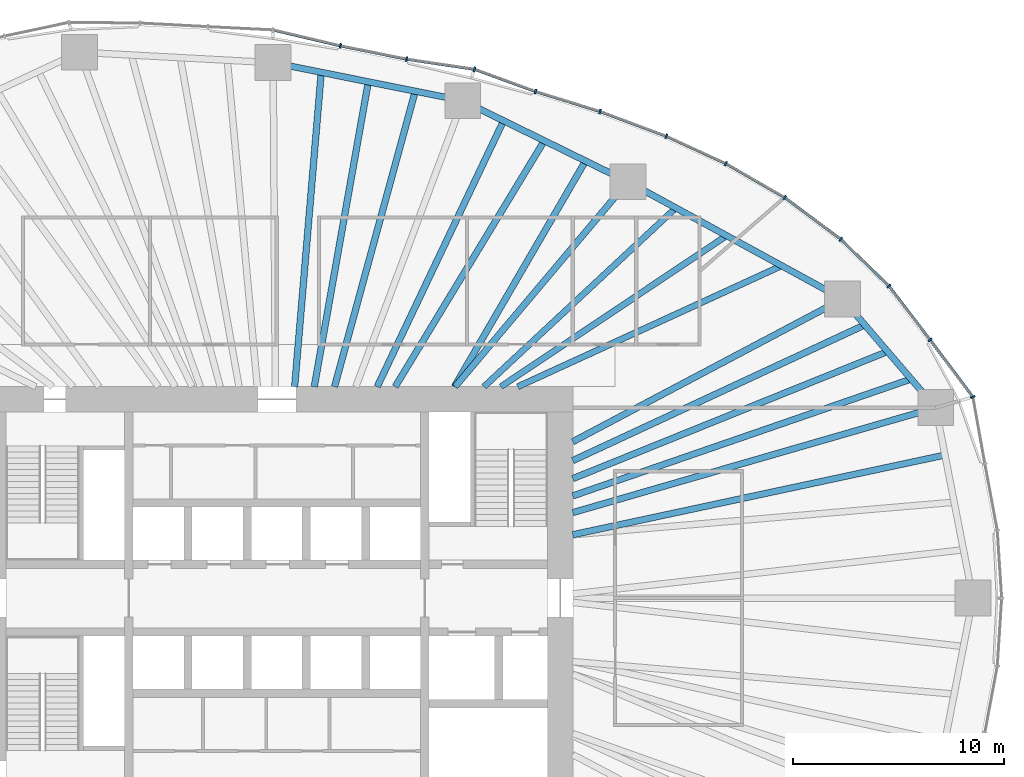
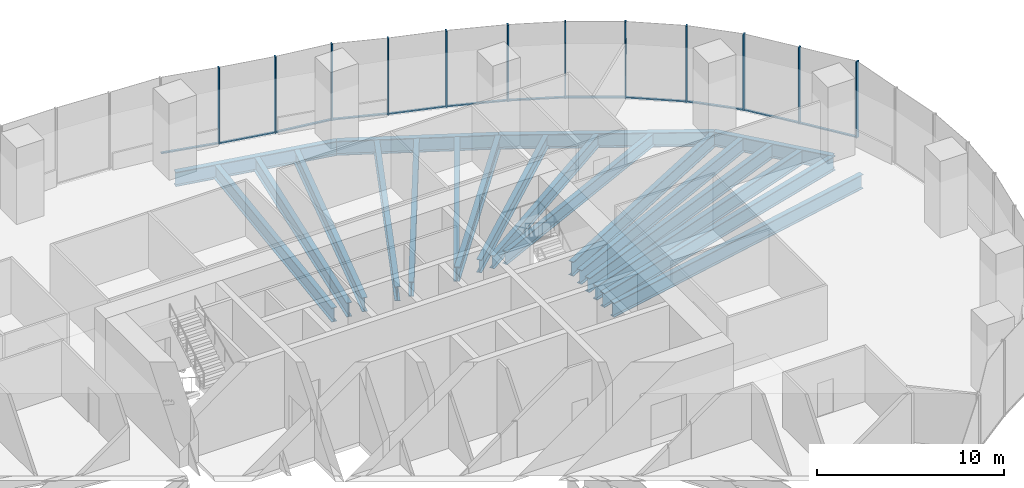
# One storey, part 6 of 19: 24 members, 20 beams, 4 elements without a shape of their own.
"""IFC4 building model written with IfcOpenShell, lengths in metres."""

from ifc_helpers import new_model, si_unit, direction, frame, origin, origin_2d, place, context, subcontext, project, spatial, rectangle, i_section, extrude, material, material_profile, profile_set, type_object, element, aggregate, save


model = new_model("IFC4")

# Units and contexts
model_context = context("Model", 3, precision=1e-05, world=origin(), true_north=direction((0.0, 1.0)))
body_context = subcontext(model_context, "Body", "Model", "MODEL_VIEW")
ifc_project = project(units=[si_unit("LENGTHUNIT", "METRE"), si_unit("AREAUNIT", "SQUARE_METRE"), si_unit("VOLUMEUNIT", "CUBIC_METRE"), si_unit("PLANEANGLEUNIT", "RADIAN"), si_unit("MASSUNIT", "GRAM", prefix="KILO")], contexts=[model_context])

# Site, building, storey
site_placement = place(None, origin())
site = spatial("IfcSite", under=ifc_project, at=site_placement, CompositionType="ELEMENT")
building_placement = place(site_placement, origin())
building = spatial("IfcBuilding", under=site, at=building_placement, Name="Ghaith Harvest Tower", CompositionType="ELEMENT")
storey_placement = place(building_placement, frame((0.0, 0.0, 70.0)))
storey = spatial("IfcBuildingStorey", under=building, at=storey_placement, Name="L14", CompositionType="ELEMENT", Elevation=70.0)

# Curtain wall, members
ifc_material_1 = material(Name="Black anodised aluminium and fritted glass", Category="aluminium")
curtain_wall_type = type_object("IfcCurtainWallType", Name="CW-F CURTAIN WALL", PredefinedType="NOTDEFINED", material=ifc_material_1)
curtain_wall_1_placement = place(storey_placement, origin())
curtain_wall_1 = element("IfcCurtainWall", 1, at=curtain_wall_1_placement, inside=storey, type_object=curtain_wall_type, Name="Curtain wall CW-F bay 02 L14", PredefinedType="NOTDEFINED")
ifc_material_2 = material(Name="Aluminium, black anodised", Category="aluminium")
ifc_material_profile_1 = material_profile(ifc_material_2, rectangle(XDim=0.080078125, YDim=0.219970703125, at=origin_2d()), Name="CW-F MULLION 80x220")
ifc_profile_set_1 = profile_set([ifc_material_profile_1], Name="Aluminium, black anodised")
member_type_1 = type_object("IfcMemberType", Name="CW-F MULLION 80x220", PredefinedType="MULLION", material=ifc_profile_set_1)
member_1_placement = place(storey_placement, frame((32.923583984375, 9.515625, 0.0), z_axis=(0.0, 0.0, 1.0), x_axis=(-0.404701693729, 0.914448762421, 0.0)))
member_1 = element("IfcMember", 2, at=member_1_placement, type_object=member_type_1, Name="CW-F mullion 1 bay 02 L14", PredefinedType="MULLION", context=body_context, shape_type="SweptSolid", body=[
    extrude(rectangle(XDim=0.080078125, YDim=0.219970703125, at=origin_2d()), origin(), (0.0, 0.0, 1.0), 5.0),
])
member_2_placement = place(storey_placement, frame((30.896728515625, 12.215087890625, 0.0), z_axis=(0.0, 0.0, 1.0), x_axis=(-0.603948315345, 0.797023482961, 0.0)))
member_2 = element("IfcMember", 3, at=member_2_placement, type_object=member_type_1, Name="CW-F mullion 2 bay 02 L14", PredefinedType="MULLION", context=body_context, shape_type="SweptSolid", body=[
    extrude(rectangle(XDim=0.080078125, YDim=0.219970703125, at=origin_2d()), origin(), (0.0, 0.0, 1.0), 5.0),
])
member_3_placement = place(storey_placement, frame((28.947021484375, 14.763427734375, 0.0), z_axis=(0.0, 0.0, 1.0), x_axis=(-0.663604797296, 0.748083332929, 0.0)))
member_3 = element("IfcMember", 4, at=member_3_placement, type_object=member_type_1, Name="CW-F mullion 3 bay 02 L14", PredefinedType="MULLION", context=body_context, shape_type="SweptSolid", body=[
    extrude(rectangle(XDim=0.080078125, YDim=0.219970703125, at=origin_2d()), origin(), (0.0, 0.0, 1.0), 5.0),
])

curtain_wall_2_placement = place(storey_placement, origin())
curtain_wall_2 = element("IfcCurtainWall", 5, at=curtain_wall_2_placement, inside=storey, type_object=curtain_wall_type, Name="Curtain wall CW-F bay 03 L14", PredefinedType="NOTDEFINED")
member_4_placement = place(storey_placement, frame((26.673828125, 16.9755859375, 0.0), z_axis=(0.0, 0.0, 1.0), x_axis=(-0.762365981091, 0.647146127915, 0.0)))
member_4 = element("IfcMember", 6, at=member_4_placement, type_object=member_type_1, Name="CW-F mullion 1 bay 03 L14", PredefinedType="MULLION", context=body_context, shape_type="SweptSolid", body=[
    extrude(rectangle(XDim=0.080078125, YDim=0.219970703125, at=origin_2d()), origin(), (0.0, 0.0, 1.0), 5.0),
])
member_5_placement = place(storey_placement, frame((24.018310546875, 18.947265625, 0.0), z_axis=(0.0, 0.0, 1.0), x_axis=(-0.835443516723, 0.549576318963, 0.0)))
member_5 = element("IfcMember", 7, at=member_5_placement, type_object=member_type_1, Name="CW-F mullion 2 bay 03 L14", PredefinedType="MULLION", context=body_context, shape_type="SweptSolid", body=[
    extrude(rectangle(XDim=0.080078125, YDim=0.219970703125, at=origin_2d()), origin(), (0.0, 0.0, 1.0), 5.0),
])
member_6_placement = place(storey_placement, frame((21.2353515625, 20.552978515625, 0.0), z_axis=(0.0, 0.0, 1.0), x_axis=(-0.887896671642, 0.460042933308, 0.0)))
member_6 = element("IfcMember", 8, at=member_6_placement, type_object=member_type_1, Name="CW-F mullion 3 bay 03 L14", PredefinedType="MULLION", context=body_context, shape_type="SweptSolid", body=[
    extrude(rectangle(XDim=0.080078125, YDim=0.219970703125, at=origin_2d()), origin(), (0.0, 0.0, 1.0), 5.0),
])

curtain_wall_3_placement = place(storey_placement, origin())
curtain_wall_3 = element("IfcCurtainWall", 9, at=curtain_wall_3_placement, inside=storey, type_object=curtain_wall_type, Name="Curtain wall CW-F bay 04 L14", PredefinedType="NOTDEFINED")
member_7_placement = place(storey_placement, frame((18.422607421875, 21.8466796875, 0.0), z_axis=(0.0, 0.0, 1.0), x_axis=(-0.923910199252, 0.382609387912, 0.0)))
member_7 = element("IfcMember", 10, at=member_7_placement, type_object=member_type_1, Name="CW-F mullion 1 bay 04 L14", PredefinedType="MULLION", context=body_context, shape_type="SweptSolid", body=[
    extrude(rectangle(XDim=0.080078125, YDim=0.219970703125, at=origin_2d()), origin(), (0.0, 0.0, 1.0), 5.0),
])
member_8_placement = place(storey_placement, frame((15.28759765625, 23.01611328125, 0.0), z_axis=(0.0, 0.0, 1.0), x_axis=(-0.946121020954, 0.323813238933, 0.0)))
member_8 = element("IfcMember", 11, at=member_8_placement, type_object=member_type_1, Name="CW-F mullion 2 bay 04 L14", PredefinedType="MULLION", context=body_context, shape_type="SweptSolid", body=[
    extrude(rectangle(XDim=0.080078125, YDim=0.219970703125, at=origin_2d()), origin(), (0.0, 0.0, 1.0), 5.0),
])
member_9_placement = place(storey_placement, frame((12.234375, 23.964599609375, 0.0), z_axis=(0.0, 0.0, 1.0), x_axis=(-0.947653438436, 0.319300736957, 0.0)))
member_9 = element("IfcMember", 12, at=member_9_placement, type_object=member_type_1, Name="CW-F mullion 3 bay 04 L14", PredefinedType="MULLION", context=body_context, shape_type="SweptSolid", body=[
    extrude(rectangle(XDim=0.080078125, YDim=0.219970703125, at=origin_2d()), origin(), (0.0, 0.0, 1.0), 5.0),
])

curtain_wall_4_placement = place(storey_placement, origin())
curtain_wall_4 = element("IfcCurtainWall", 13, at=curtain_wall_4_placement, inside=storey, type_object=curtain_wall_type, Name="Curtain wall CW-F bay 05 L14", PredefinedType="NOTDEFINED")
member_10_placement = place(storey_placement, frame((9.351806640625, 25.01611328125, 0.0), z_axis=(0.0, 0.0, 1.0), x_axis=(-0.969903429236, 0.243489913461, 0.0)))
member_10 = element("IfcMember", 14, at=member_10_placement, type_object=member_type_1, Name="CW-F mullion 1 bay 05 L14", PredefinedType="MULLION", context=body_context, shape_type="SweptSolid", body=[
    extrude(rectangle(XDim=0.080078125, YDim=0.219970703125, at=origin_2d()), origin(), (0.0, 0.0, 1.0), 5.0),
])
member_11_placement = place(storey_placement, frame((6.136962890625, 25.495361328125, 0.0), z_axis=(0.0, 0.0, 1.0), x_axis=(-0.985103843977, 0.171960508788, 0.0)))
member_11 = element("IfcMember", 15, at=member_11_placement, type_object=member_type_1, Name="CW-F mullion 2 bay 05 L14", PredefinedType="MULLION", context=body_context, shape_type="SweptSolid", body=[
    extrude(rectangle(XDim=0.080078125, YDim=0.219970703125, at=origin_2d()), origin(), (0.0, 0.0, 1.0), 5.0),
])
member_12_placement = place(storey_placement, frame((3.00927734375, 26.123291015625, 0.0), z_axis=(0.0, 0.0, 1.0), x_axis=(-0.976927332869, 0.213571969822, 0.0)))
member_12 = element("IfcMember", 16, at=member_12_placement, type_object=member_type_1, Name="CW-F mullion 3 bay 05 L14", PredefinedType="MULLION", context=body_context, shape_type="SweptSolid", body=[
    extrude(rectangle(XDim=0.080078125, YDim=0.219970703125, at=origin_2d()), origin(), (0.0, 0.0, 1.0), 5.0),
])

# Member
ifc_material_3 = material(Name="Aluminium, black anodised", Category="aluminium")
ifc_material_profile_2 = material_profile(ifc_material_3, rectangle(XDim=0.139892578125, YDim=0.080078125, at=origin_2d()), Name="CW-F TRANSOM 140x80")
ifc_profile_set_2 = profile_set([ifc_material_profile_2], Name="Aluminium, black anodised")
member_type_2 = type_object("IfcMemberType", Name="CW-F TRANSOM 140x80", PredefinedType="USERDEFINED", material=ifc_profile_set_2)
member_13_placement = place(storey_placement, frame((32.899658203125, 9.547607421875, 0.0400390625), z_axis=(-0.600462135687, 0.799653189581, 0.0), x_axis=(-0.799653189581, -0.600462135687, 0.0)))
member_13 = element("IfcMember", 17, at=member_13_placement, type_object=member_type_2, Name="CW-F transom 1 bay 02 L14", ObjectType="TRANSOM", PredefinedType="USERDEFINED", context=body_context, shape_type="SweptSolid", body=[
    extrude(rectangle(XDim=0.139892578125, YDim=0.080078125, at=origin_2d()), origin(), (0.0, 0.0, 1.0), 3.2958984375),
])

member_14_placement = place(storey_placement, frame((30.87255859375, 12.246826171875, 0.0400390625), z_axis=(-0.607638356471, 0.794213842579, 0.0), x_axis=(-0.794213842579, -0.607638356471, 0.0)))
member_14 = element("IfcMember", 18, at=member_14_placement, type_object=member_type_2, Name="CW-F transom 2 bay 02 L14", ObjectType="TRANSOM", PredefinedType="USERDEFINED", context=body_context, shape_type="SweptSolid", body=[
    extrude(rectangle(XDim=0.139892578125, YDim=0.080078125, at=origin_2d()), origin(), (0.0, 0.0, 1.0), 3.128662109375),
])

member_15_placement = place(storey_placement, frame((28.91845703125, 14.791259765625, 0.0400390625), z_axis=(-0.71671313139, 0.697368114623, 0.0), x_axis=(-0.697368114623, -0.71671313139, 0.0)))
member_15 = element("IfcMember", 19, at=member_15_placement, type_object=member_type_2, Name="CW-F transom 3 bay 02 L14", ObjectType="TRANSOM", PredefinedType="USERDEFINED", context=body_context, shape_type="SweptSolid", body=[
    extrude(rectangle(XDim=0.139892578125, YDim=0.080078125, at=origin_2d()), origin(), (0.0, 0.0, 1.0), 3.092041015625),
])

aggregate(curtain_wall_1, [member_1, member_13, member_2, member_14, member_3, member_15])

member_16_placement = place(storey_placement, frame((26.641845703125, 16.999267578125, 0.0400390625), z_axis=(-0.802877287823, 0.596144328748, 0.0), x_axis=(-0.596144328748, -0.802877287823, 0.0)))
member_16 = element("IfcMember", 20, at=member_16_placement, type_object=member_type_2, Name="CW-F transom 1 bay 03 L14", ObjectType="TRANSOM", PredefinedType="USERDEFINED", context=body_context, shape_type="SweptSolid", body=[
    extrude(rectangle(XDim=0.139892578125, YDim=0.080078125, at=origin_2d()), origin(), (0.0, 0.0, 1.0), 3.2275390625),
])

member_17_placement = place(storey_placement, frame((23.983642578125, 18.96728515625, 0.0400390625), z_axis=(-0.866168719914, 0.499751686983, 0.0), x_axis=(-0.499751686983, -0.866168719914, 0.0)))
member_17 = element("IfcMember", 21, at=member_17_placement, type_object=member_type_2, Name="CW-F transom 2 bay 03 L14", ObjectType="TRANSOM", PredefinedType="USERDEFINED", context=body_context, shape_type="SweptSolid", body=[
    extrude(rectangle(XDim=0.139892578125, YDim=0.080078125, at=origin_2d()), origin(), (0.0, 0.0, 1.0), 3.1328125),
])

member_18_placement = place(storey_placement, frame((21.19921875, 20.56982421875, 0.0400390625), z_axis=(-0.908553137239, 0.417769310521, 0.0), x_axis=(-0.417769310521, -0.908553137239, 0.0)))
member_18 = element("IfcMember", 22, at=member_18_placement, type_object=member_type_2, Name="CW-F transom 3 bay 03 L14", ObjectType="TRANSOM", PredefinedType="USERDEFINED", context=body_context, shape_type="SweptSolid", body=[
    extrude(rectangle(XDim=0.139892578125, YDim=0.080078125, at=origin_2d()), origin(), (0.0, 0.0, 1.0), 3.01611328125),
])

aggregate(curtain_wall_2, [member_4, member_16, member_5, member_17, member_6, member_18])

member_19_placement = place(storey_placement, frame((18.385009765625, 21.860595703125, 0.0400390625), z_axis=(-0.936923785579, 0.349533717996, 0.0), x_axis=(-0.349533717996, -0.936923785579, 0.0)))
member_19 = element("IfcMember", 23, at=member_19_placement, type_object=member_type_2, Name="CW-F transom 1 bay 04 L14", ObjectType="TRANSOM", PredefinedType="USERDEFINED", context=body_context, shape_type="SweptSolid", body=[
    extrude(rectangle(XDim=0.139892578125, YDim=0.080078125, at=origin_2d()), origin(), (0.0, 0.0, 1.0), 3.26611328125),
])

member_20_placement = place(storey_placement, frame((15.249267578125, 23.028076171875, 0.0400390625), z_axis=(-0.954998362353, 0.296611071781, 0.0), x_axis=(-0.296611071781, -0.954998362353, 0.0)))
member_20 = element("IfcMember", 24, at=member_20_placement, type_object=member_type_2, Name="CW-F transom 2 bay 04 L14", ObjectType="TRANSOM", PredefinedType="USERDEFINED", context=body_context, shape_type="SweptSolid", body=[
    extrude(rectangle(XDim=0.139892578125, YDim=0.080078125, at=origin_2d()), origin(), (0.0, 0.0, 1.0), 3.1171875),
])

member_21_placement = place(storey_placement, frame((12.19677734375, 23.978271484375, 0.0400390625), z_axis=(-0.939437502081, 0.342720264478, 0.0), x_axis=(-0.342720264478, -0.939437502081, 0.0)))
member_21 = element("IfcMember", 25, at=member_21_placement, type_object=member_type_2, Name="CW-F transom 3 bay 04 L14", ObjectType="TRANSOM", PredefinedType="USERDEFINED", context=body_context, shape_type="SweptSolid", body=[
    extrude(rectangle(XDim=0.139892578125, YDim=0.080078125, at=origin_2d()), origin(), (0.0, 0.0, 1.0), 2.98828125),
])

aggregate(curtain_wall_3, [member_7, member_19, member_8, member_20, member_9, member_21])

member_22_placement = place(storey_placement, frame((9.312255859375, 25.02197265625, 0.0400390625), z_axis=(-0.989078238205, 0.147391447207, 0.0), x_axis=(-0.147391447207, -0.989078238205, 0.0)))
member_22 = element("IfcMember", 26, at=member_22_placement, type_object=member_type_2, Name="CW-F transom 1 bay 05 L14", ObjectType="TRANSOM", PredefinedType="USERDEFINED", context=body_context, shape_type="SweptSolid", body=[
    extrude(rectangle(XDim=0.139892578125, YDim=0.080078125, at=origin_2d()), origin(), (0.0, 0.0, 1.0), 3.17041015625),
])

member_23_placement = place(storey_placement, frame((6.097900390625, 25.503173828125, 0.0400390625), z_axis=(-0.980432471193, 0.196855707129, 0.0), x_axis=(-0.196855707129, -0.980432471193, 0.0)))
member_23 = element("IfcMember", 27, at=member_23_placement, type_object=member_type_2, Name="CW-F transom 2 bay 05 L14", ObjectType="TRANSOM", PredefinedType="USERDEFINED", context=body_context, shape_type="SweptSolid", body=[
    extrude(rectangle(XDim=0.139892578125, YDim=0.080078125, at=origin_2d()), origin(), (0.0, 0.0, 1.0), 3.1103515625),
])

member_24_placement = place(storey_placement, frame((2.97021484375, 26.132568359375, 0.0400390625), z_axis=(-0.973252867589, 0.229736491942, 0.0), x_axis=(-0.229736491942, -0.973252867589, 0.0)))
member_24 = element("IfcMember", 28, at=member_24_placement, type_object=member_type_2, Name="CW-F transom 3 bay 05 L14", ObjectType="TRANSOM", PredefinedType="USERDEFINED", context=body_context, shape_type="SweptSolid", body=[
    extrude(rectangle(XDim=0.139892578125, YDim=0.080078125, at=origin_2d()), origin(), (0.0, 0.0, 1.0), 3.200927734375),
])

aggregate(curtain_wall_4, [member_10, member_22, member_11, member_23, member_12, member_24])

# Beams
ifc_material_4 = material(Name="Steel ASTM A992 Grade 50", Category="steel")
ifc_material_profile_3 = material_profile(ifc_material_4, i_section(OverallWidth=0.306884765625, OverallDepth=0.94189453125, WebThickness=0.022216796875, FlangeThickness=0.039794921875, at=origin_2d()), Name="W920X345")
ifc_profile_set_3 = profile_set([ifc_material_profile_3], Name="Steel ASTM A992 Grade 50")
beam_type_1 = type_object("IfcBeamType", Name="E920-345 W920X345", PredefinedType="SPANDREL", material=ifc_profile_set_3)
beam_1_placement = place(storey_placement, frame((31.166015625, 9.008056640625, -0.6708984375), z_axis=(-0.65056255283, 0.759452674533, 0.0), x_axis=(-0.759452674533, -0.65056255283, 0.0)))
element("IfcBeam", 29, at=beam_1_placement, inside=storey, type_object=beam_type_1, Name="Edge beam E02 L14", PredefinedType="SPANDREL", context=body_context, shape_type="SweptSolid", body=[
    extrude(i_section(OverallWidth=0.306884765625, OverallDepth=0.94189453125, WebThickness=0.022216796875, FlangeThickness=0.039794921875, at=origin_2d()), origin(), (0.0, 0.0, 1.0), 6.7666015625),
])
beam_2_placement = place(storey_placement, frame((26.763916015625, 14.14697265625, -0.6708984375), z_axis=(-0.877588218279, 0.479415184509, 0.0), x_axis=(-0.479415184509, -0.877588218279, 0.0)))
element("IfcBeam", 30, at=beam_2_placement, inside=storey, type_object=beam_type_1, Name="Edge beam E03 L14", PredefinedType="SPANDREL", context=body_context, shape_type="SweptSolid", body=[
    extrude(i_section(OverallWidth=0.306884765625, OverallDepth=0.94189453125, WebThickness=0.022216796875, FlangeThickness=0.039794921875, at=origin_2d()), origin(), (0.0, 0.0, 1.0), 11.57275390625),
])
beam_3_placement = place(storey_placement, frame((16.60791015625, 19.695068359375, -0.6708984375), z_axis=(-0.897823733825, 0.440355019252, 0.0), x_axis=(-0.440355019252, -0.897823733825, 0.0)))
element("IfcBeam", 31, at=beam_3_placement, inside=storey, type_object=beam_type_1, Name="Edge beam E04 L14", PredefinedType="SPANDREL", context=body_context, shape_type="SweptSolid", body=[
    extrude(i_section(OverallWidth=0.306884765625, OverallDepth=0.94189453125, WebThickness=0.022216796875, FlangeThickness=0.039794921875, at=origin_2d()), origin(), (0.0, 0.0, 1.0), 8.7021484375),
])
beam_4_placement = place(storey_placement, frame((8.794921875, 23.527099609375, -0.6708984375), z_axis=(-0.980450082464, 0.196767974517, 0.0), x_axis=(-0.196767974517, -0.980450082464, 0.0)))
element("IfcBeam", 32, at=beam_4_placement, inside=storey, type_object=beam_type_1, Name="Edge beam E05 L14", PredefinedType="SPANDREL", context=body_context, shape_type="SweptSolid", body=[
    extrude(i_section(OverallWidth=0.306884765625, OverallDepth=0.94189453125, WebThickness=0.022216796875, FlangeThickness=0.039794921875, at=origin_2d()), origin(), (0.0, 0.0, 1.0), 9.146728515625),
])
ifc_material_5 = material(Name="Steel ASTM A992 Grade 50", Category="steel")
ifc_material_profile_4 = material_profile(ifc_material_5, i_section(OverallWidth=0.306884765625, OverallDepth=0.94189453125, WebThickness=0.022216796875, FlangeThickness=0.039794921875, at=origin_2d()), Name="W920X345")
ifc_profile_set_4 = profile_set([ifc_material_profile_4], Name="Steel ASTM A992 Grade 50")
beam_type_2 = type_object("IfcBeamType", Name="G920-345 W920X345", PredefinedType="BEAM", material=ifc_profile_set_4)
beam_5_placement = place(storey_placement, frame((14.0, 4.04638671875, -0.6708984375), z_axis=(0.960675395102, 0.277673882903, 0.0), x_axis=(-0.277673882903, 0.960675395102, 0.0)))
element("IfcBeam", 33, at=beam_5_placement, inside=storey, type_object=beam_type_2, Name="Radial girder G02 L14", PredefinedType="BEAM", context=body_context, shape_type="SweptSolid", body=[
    extrude(i_section(OverallWidth=0.306884765625, OverallDepth=0.94189453125, WebThickness=0.022216796875, FlangeThickness=0.039794921875, at=origin_2d()), origin(), (0.0, 0.0, 1.0), 17.86865234375),
])
beam_6_placement = place(storey_placement, frame((14.0, 7.39990234375, -0.6708984375), z_axis=(0.884082663971, 0.467330550324, 0.0), x_axis=(-0.467330550324, 0.884082663971, 0.0)))
element("IfcBeam", 34, at=beam_6_placement, inside=storey, type_object=beam_type_2, Name="Radial girder G03 L14", PredefinedType="BEAM", context=body_context, shape_type="SweptSolid", body=[
    extrude(i_section(OverallWidth=0.306884765625, OverallDepth=0.94189453125, WebThickness=0.022216796875, FlangeThickness=0.039794921875, at=origin_2d()), origin(), (0.0, 0.0, 1.0), 14.4375),
])
beam_7_placement = place(storey_placement, frame((8.4326171875, 10.0, -0.6708984375), z_axis=(0.644644245772, 0.764482698557, 0.0), x_axis=(-0.764482698557, 0.644644245772, 0.0)))
element("IfcBeam", 35, at=beam_7_placement, inside=storey, type_object=beam_type_2, Name="Radial girder G04 L14", PredefinedType="BEAM", context=body_context, shape_type="SweptSolid", body=[
    extrude(i_section(OverallWidth=0.306884765625, OverallDepth=0.94189453125, WebThickness=0.022216796875, FlangeThickness=0.039794921875, at=origin_2d()), origin(), (0.0, 0.0, 1.0), 12.681884765625),
])
ifc_material_6 = material(Name="Steel ASTM A992 Grade 50", Category="steel")
ifc_material_profile_5 = material_profile(ifc_material_6, i_section(OverallWidth=0.2939453125, OverallDepth=0.85107421875, WebThickness=0.01611328125, FlangeThickness=0.02685546875, at=origin_2d()), Name="W840X226")
ifc_profile_set_5 = profile_set([ifc_material_profile_5], Name="Steel ASTM A992 Grade 50")
beam_type_3 = type_object("IfcBeamType", Name="J840-226 W840X226", PredefinedType="JOIST", material=ifc_profile_set_5)
beam_8_placement = place(storey_placement, frame((11.39990234375, 10.0, -0.62548828125), z_axis=(0.909014022454, 0.416765529983, 0.0), x_axis=(-0.416765529983, 0.909014022454, 0.0)))
element("IfcBeam", 36, at=beam_8_placement, inside=storey, type_object=beam_type_3, Name="Joist J03.1 L14", PredefinedType="JOIST", context=body_context, shape_type="SweptSolid", body=[
    extrude(i_section(OverallWidth=0.2939453125, OverallDepth=0.85107421875, WebThickness=0.01611328125, FlangeThickness=0.02685546875, at=origin_2d()), origin(), (0.0, 0.0, 1.0), 13.72998046875),
])
beam_9_placement = place(storey_placement, frame((10.60009765625, 10.0, -0.62548828125), z_axis=(0.831116486766, 0.556098359489, 0.0), x_axis=(-0.556098359489, 0.831116486766, 0.0)))
element("IfcBeam", 37, at=beam_9_placement, inside=storey, type_object=beam_type_3, Name="Joist J03.2 L14", PredefinedType="JOIST", context=body_context, shape_type="SweptSolid", body=[
    extrude(i_section(OverallWidth=0.2939453125, OverallDepth=0.85107421875, WebThickness=0.01611328125, FlangeThickness=0.02685546875, at=origin_2d()), origin(), (0.0, 0.0, 1.0), 12.84716796875),
])
beam_10_placement = place(storey_placement, frame((9.800048828125, 10.0, -0.62548828125), z_axis=(0.731538123562, 0.681800538116, 0.0), x_axis=(-0.681800538116, 0.731538123562, 0.0)))
element("IfcBeam", 38, at=beam_10_placement, inside=storey, type_object=beam_type_3, Name="Joist J03.3 L14", PredefinedType="JOIST", context=body_context, shape_type="SweptSolid", body=[
    extrude(i_section(OverallWidth=0.2939453125, OverallDepth=0.85107421875, WebThickness=0.01611328125, FlangeThickness=0.02685546875, at=origin_2d()), origin(), (0.0, 0.0, 1.0), 12.404052734375),
])
ifc_material_7 = material(Name="Steel ASTM A992 Grade 50", Category="steel")
ifc_material_profile_6 = material_profile(ifc_material_7, i_section(OverallWidth=0.31005859375, OverallDepth=0.927001953125, WebThickness=0.019287109375, FlangeThickness=0.031982421875, at=origin_2d()), Name="W920X289")
ifc_profile_set_6 = profile_set([ifc_material_profile_6], Name="Steel ASTM A992 Grade 50")
beam_type_4 = type_object("IfcBeamType", Name="J920-289 W920X289", PredefinedType="JOIST", material=ifc_profile_set_6)
beam_11_placement = place(storey_placement, frame((14.0, 6.506103515625, -0.66357421875), z_axis=(0.906862619792, 0.421426374144, 0.0), x_axis=(-0.421426374144, 0.906862619792, 0.0)))
element("IfcBeam", 39, at=beam_11_placement, inside=storey, type_object=beam_type_4, Name="Joist J02.3 L14", PredefinedType="JOIST", context=body_context, shape_type="SweptSolid", body=[
    extrude(i_section(OverallWidth=0.31005859375, OverallDepth=0.927001953125, WebThickness=0.019287109375, FlangeThickness=0.031982421875, at=origin_2d()), origin(), (0.0, 0.0, 1.0), 15.229736328125),
])
beam_12_placement = place(storey_placement, frame((8.39990234375, 10.0, -0.66357421875), z_axis=(0.50228574324, 0.864701701246, 0.0), x_axis=(-0.864701701246, 0.50228574324, 0.0)))
element("IfcBeam", 40, at=beam_12_placement, inside=storey, type_object=beam_type_4, Name="Joist J04.1 L14", PredefinedType="JOIST", context=body_context, shape_type="SweptSolid", body=[
    extrude(i_section(OverallWidth=0.31005859375, OverallDepth=0.927001953125, WebThickness=0.019287109375, FlangeThickness=0.031982421875, at=origin_2d()), origin(), (0.0, 0.0, 1.0), 12.349365234375),
])
beam_13_placement = place(storey_placement, frame((5.60009765625, 10.0, -0.66357421875), z_axis=(0.518319612023, 0.85518698528, 0.0), x_axis=(-0.85518698528, 0.518319612023, 0.0)))
element("IfcBeam", 41, at=beam_13_placement, inside=storey, type_object=beam_type_4, Name="Joist J04.2 L14", PredefinedType="JOIST", context=body_context, shape_type="SweptSolid", body=[
    extrude(i_section(OverallWidth=0.31005859375, OverallDepth=0.927001953125, WebThickness=0.019287109375, FlangeThickness=0.031982421875, at=origin_2d()), origin(), (0.0, 0.0, 1.0), 13.60546875),
])
beam_14_placement = place(storey_placement, frame((4.75, 10.0, -0.66357421875), z_axis=(0.429059675117, 0.903276145588, 0.0), x_axis=(-0.903276145588, 0.429059675117, 0.0)))
element("IfcBeam", 42, at=beam_14_placement, inside=storey, type_object=beam_type_4, Name="Joist J04.3 L14", PredefinedType="JOIST", context=body_context, shape_type="SweptSolid", body=[
    extrude(i_section(OverallWidth=0.31005859375, OverallDepth=0.927001953125, WebThickness=0.019287109375, FlangeThickness=0.031982421875, at=origin_2d()), origin(), (0.0, 0.0, 1.0), 13.92724609375),
])
beam_15_placement = place(storey_placement, frame((2.73095703125, 10.0, -0.66357421875), z_axis=(0.263455282447, 0.964671609487, 0.0), x_axis=(-0.964671609487, 0.263455282447, 0.0)))
element("IfcBeam", 43, at=beam_15_placement, inside=storey, type_object=beam_type_4, Name="Joist J05.1 L14", PredefinedType="JOIST", context=body_context, shape_type="SweptSolid", body=[
    extrude(i_section(OverallWidth=0.31005859375, OverallDepth=0.927001953125, WebThickness=0.019287109375, FlangeThickness=0.031982421875, at=origin_2d()), origin(), (0.0, 0.0, 1.0), 14.48974609375),
])
beam_16_placement = place(storey_placement, frame((1.772705078125, 10.0, -0.66357421875), z_axis=(0.174552574354, 0.984647855218, 0.0), x_axis=(-0.984647855218, 0.174552574354, 0.0)))
element("IfcBeam", 44, at=beam_16_placement, inside=storey, type_object=beam_type_4, Name="Joist J05.2 L14", PredefinedType="JOIST", context=body_context, shape_type="SweptSolid", body=[
    extrude(i_section(OverallWidth=0.31005859375, OverallDepth=0.927001953125, WebThickness=0.019287109375, FlangeThickness=0.031982421875, at=origin_2d()), origin(), (0.0, 0.0, 1.0), 14.648193359375),
])
beam_17_placement = place(storey_placement, frame((0.844970703125, 10.0, -0.66357421875), z_axis=(0.084219252187, 0.996447247756, 0.0), x_axis=(-0.996447247756, 0.084219252187, 0.0)))
element("IfcBeam", 45, at=beam_17_placement, inside=storey, type_object=beam_type_4, Name="Joist J05.3 L14", PredefinedType="JOIST", context=body_context, shape_type="SweptSolid", body=[
    extrude(i_section(OverallWidth=0.31005859375, OverallDepth=0.927001953125, WebThickness=0.019287109375, FlangeThickness=0.031982421875, at=origin_2d()), origin(), (0.0, 0.0, 1.0), 14.92333984375),
])
ifc_material_8 = material(Name="Steel ASTM A992 Grade 50", Category="steel")
ifc_material_profile_7 = material_profile(ifc_material_8, i_section(OverallWidth=0.306884765625, OverallDepth=0.94189453125, WebThickness=0.022216796875, FlangeThickness=0.039794921875, at=origin_2d()), Name="W920X345")
ifc_profile_set_7 = profile_set([ifc_material_profile_7], Name="Steel ASTM A992 Grade 50")
beam_type_5 = type_object("IfcBeamType", Name="J920-345 W920X345", PredefinedType="JOIST", material=ifc_profile_set_7)
beam_18_placement = place(storey_placement, frame((14.0, 3.0, -0.6708984375), z_axis=(0.977831380626, 0.209393865869, 0.0), x_axis=(-0.209393865869, 0.977831380626, 0.0)))
element("IfcBeam", 46, at=beam_18_placement, inside=storey, type_object=beam_type_5, Name="Joist J01.3 L14", PredefinedType="JOIST", context=body_context, shape_type="SweptSolid", body=[
    extrude(i_section(OverallWidth=0.306884765625, OverallDepth=0.94189453125, WebThickness=0.022216796875, FlangeThickness=0.039794921875, at=origin_2d()), origin(), (0.0, 0.0, 1.0), 18.002197265625),
])
beam_19_placement = place(storey_placement, frame((14.0, 4.835693359375, -0.6708984375), z_axis=(0.945204767809, 0.326478095607, 0.0), x_axis=(-0.326478095607, 0.945204767809, 0.0)))
element("IfcBeam", 47, at=beam_19_placement, inside=storey, type_object=beam_type_5, Name="Joist J02.1 L14", PredefinedType="JOIST", context=body_context, shape_type="SweptSolid", body=[
    extrude(i_section(OverallWidth=0.306884765625, OverallDepth=0.94189453125, WebThickness=0.022216796875, FlangeThickness=0.039794921875, at=origin_2d()), origin(), (0.0, 0.0, 1.0), 16.932373046875),
])
beam_20_placement = place(storey_placement, frame((14.0, 5.653564453125, -0.6708984375), z_axis=(0.927252192145, 0.374437407536, 0.0), x_axis=(-0.374437407536, 0.927252192145, 0.0)))
element("IfcBeam", 48, at=beam_20_placement, inside=storey, type_object=beam_type_5, Name="Joist J02.2 L14", PredefinedType="JOIST", context=body_context, shape_type="SweptSolid", body=[
    extrude(i_section(OverallWidth=0.306884765625, OverallDepth=0.94189453125, WebThickness=0.022216796875, FlangeThickness=0.039794921875, at=origin_2d()), origin(), (0.0, 0.0, 1.0), 16.057373046875),
])

save(model, "model.ifc")
